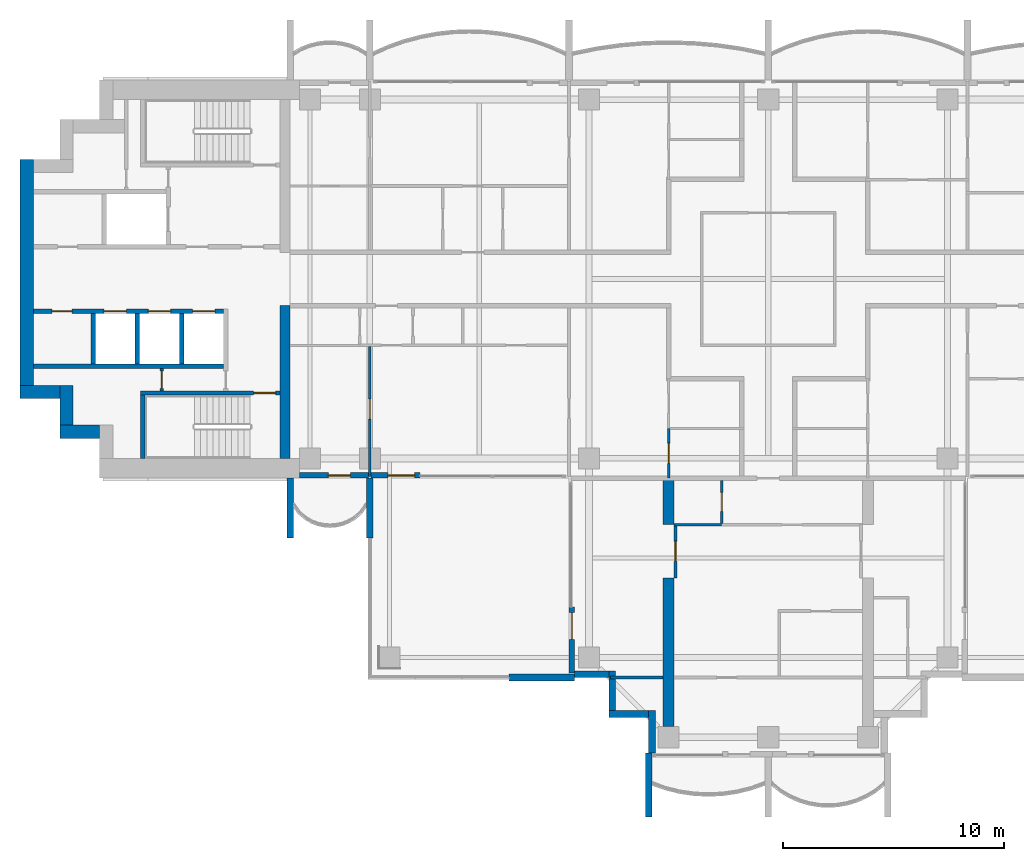
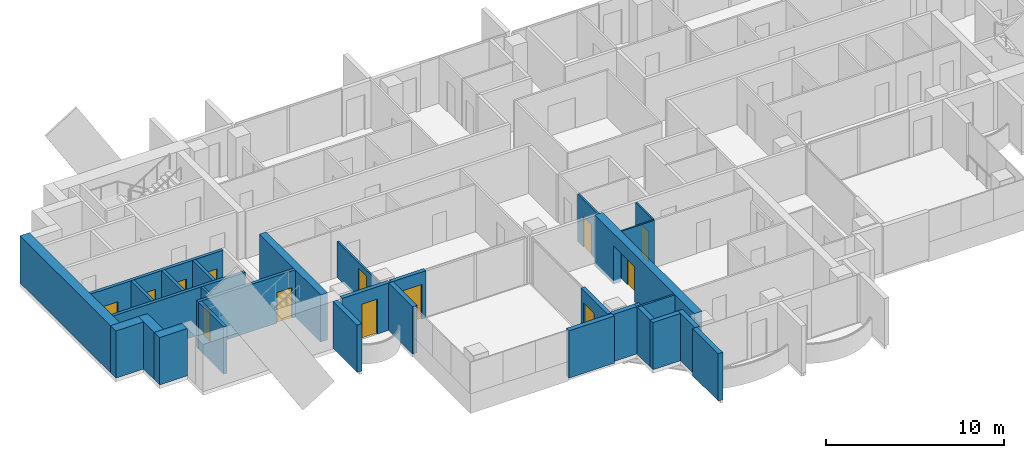
# One storey, part 8 of 18: 31 walls, 13 doors, 13 openings.
"""IFC4 building model written with IfcOpenShell, lengths in metres."""

from ifc_helpers import new_model, si_unit, direction, frame, frame_2d, origin, place, context, subcontext, project, spatial, polyline, rectangle, outline, extrude, material, layer, layer_set, material_profile, profile_set, type_object, element, fill, save


model = new_model("IFC4")

# Units and contexts
model_context = context("Model", 3, precision=1e-05, world=origin(), true_north=direction((0.0, 1.0)))
body_context = subcontext(model_context, "Body", "Model", "MODEL_VIEW")
ifc_project = project(units=[si_unit("LENGTHUNIT", "METRE"), si_unit("AREAUNIT", "SQUARE_METRE"), si_unit("VOLUMEUNIT", "CUBIC_METRE"), si_unit("PLANEANGLEUNIT", "RADIAN"), si_unit("MASSUNIT", "GRAM", prefix="KILO")], contexts=[model_context])

# Site, building, storey
site_placement = place(None, origin())
site = spatial("IfcSite", under=ifc_project, at=site_placement, CompositionType="ELEMENT")
building_placement = place(site_placement, origin())
building = spatial("IfcBuilding", under=site, at=building_placement, Name="Perihelion Cross Residences", CompositionType="ELEMENT")
storey_placement = place(building_placement, frame((0.0, 0.0, 177.10009765625)))
storey = spatial("IfcBuildingStorey", under=building, at=storey_placement, Name="L43", CompositionType="ELEMENT", Elevation=177.10009765625)

# Wall, opening, door
ifc_material_1 = material(Name="Concrete C30/37, bronze-clad", Category="concrete")
ifc_layer_1 = layer(ifc_material_1, 0.25)
ifc_layer_set_1 = layer_set([ifc_layer_1], Name="Bronze-clad pier wall 250")
wall_type_1 = type_object("IfcWallType", Name="Bronze-clad pier wall 250", PredefinedType="SOLIDWALL", material=ifc_layer_set_1)
wall_1_placement = place(storey_placement, frame((-21.175048828125, -8.875, 0.0), z_axis=(0.0, 0.0, 1.0), x_axis=(1.0, 0.0, 0.0)))
wall_1 = element("IfcWall", 1, at=wall_1_placement, inside=storey, type_object=wall_type_1, Name="Wall FW1 L43 west side south bay 1 pier", PredefinedType="SOLIDWALL", context=body_context, shape_type="SweptSolid", body=[
    extrude(rectangle(XDim=3.114990234375, YDim=0.25, at=frame_2d((1.5576171875, 0.0))), origin(), (0.0, 0.0, 1.0), 3.25),
])
opening_1_placement = place(wall_1_placement, frame((1.300048828125, 0.0, 0.0)))
opening_1 = element("IfcOpeningElement", 2, at=opening_1_placement, cuts=wall_1, Name="Opening L43.E07", PredefinedType="OPENING", context=body_context, shape_type="SweptSolid", body=[
    extrude(rectangle(XDim=1.0, YDim=2.39990234375, at=frame_2d((0.5, 1.199951171875))), frame((0.0, 0.135009765625, 0.0), z_axis=(0.0, -1.0, 0.0), x_axis=(1.0, 0.0, 0.0)), (0.0, 0.0, 1.0), 0.27001953125),
])
ifc_material_2 = material(Name="Bronze anodised aluminium, glazed", Category="aluminium")
door_type_1 = type_object("IfcDoorType", Name="Balcony door 1000 x 2400", OperationType="NOTDEFINED", PredefinedType="DOOR", material=ifc_material_2)
door_1_placement = place(opening_1_placement, origin())
door_1 = element("IfcDoor", 3, at=door_1_placement, inside=storey, type_object=door_type_1, Name="Door L43.E07 west side south bay 1", OperationType="SINGLE_SWING_LEFT", OverallHeight=2.39990234375, OverallWidth=1.0, PredefinedType="DOOR", context=body_context, shape_type="SweptSolid", body=[
    extrude(rectangle(XDim=1.0, YDim=2.39990234375, at=frame_2d((0.5, 1.199951171875))), frame((0.0, 0.02490234375, 0.0), z_axis=(0.0, -1.0, 0.0), x_axis=(1.0, 0.0, 0.0)), (0.0, 0.0, 1.0), 0.050048828125),
])
fill(opening_1, door_1)

wall_2_placement = place(storey_placement, frame((-17.93994140625, -8.875, 0.0), z_axis=(0.0, 0.0, 1.0), x_axis=(1.0, 0.0, 0.0)))
wall_2 = element("IfcWall", 4, at=wall_2_placement, inside=storey, type_object=wall_type_1, Name="Wall FW1 L43 west side south bay 2 pier", PredefinedType="SOLIDWALL", context=body_context, shape_type="SweptSolid", body=[
    extrude(rectangle(XDim=2.21484375, YDim=0.25, at=frame_2d((1.107421875, 0.0))), origin(), (0.0, 0.0, 1.0), 3.25),
])
opening_2_placement = place(wall_2_placement, frame((0.764892578125, 0.0, 0.0)))
opening_2 = element("IfcOpeningElement", 5, at=opening_2_placement, cuts=wall_2, Name="Opening L43.E08", PredefinedType="OPENING", context=body_context, shape_type="SweptSolid", body=[
    extrude(rectangle(XDim=1.199951171875, YDim=2.39990234375, at=frame_2d((0.60009765625, 1.199951171875))), frame((0.0, 0.135009765625, 0.0), z_axis=(0.0, -1.0, 0.0), x_axis=(1.0, 0.0, 0.0)), (0.0, 0.0, 1.0), 0.27001953125),
])
ifc_material_3 = material(Name="Bronze anodised aluminium, glazed", Category="aluminium")
door_type_2 = type_object("IfcDoorType", Name="Balcony door 1200 x 2400", OperationType="NOTDEFINED", PredefinedType="DOOR", material=ifc_material_3)
door_2_placement = place(opening_2_placement, origin())
door_2 = element("IfcDoor", 6, at=door_2_placement, inside=storey, type_object=door_type_2, Name="Door L43.E08 west side south bay 2", OperationType="SINGLE_SWING_RIGHT", OverallHeight=2.39990234375, OverallWidth=1.199951171875, PredefinedType="DOOR", context=body_context, shape_type="SweptSolid", body=[
    extrude(rectangle(XDim=1.199951171875, YDim=2.39990234375, at=frame_2d((0.60009765625, 1.199951171875))), frame((0.0, 0.02490234375, 0.0), z_axis=(0.0, -1.0, 0.0), x_axis=(1.0, 0.0, 0.0)), (0.0, 0.0, 1.0), 0.050048828125),
])
fill(opening_2, door_2)

wall_3_placement = place(storey_placement, frame((-8.875, -14.824951171875, 0.0), z_axis=(0.0, 0.0, 1.0), x_axis=(0.0, -1.0, 0.0)))
wall_3 = element("IfcWall", 7, at=wall_3_placement, inside=storey, type_object=wall_type_1, Name="Wall FW1 L43 south side west bay 1 pier", PredefinedType="SOLIDWALL", context=body_context, shape_type="SweptSolid", body=[
    extrude(rectangle(XDim=2.97509765625, YDim=0.25, at=frame_2d((1.487548828125, 0.0))), origin(), (0.0, 0.0, 1.0), 3.25),
])
opening_3_placement = place(wall_3_placement, frame((0.25, 0.0, 0.0)))
opening_3 = element("IfcOpeningElement", 8, at=opening_3_placement, cuts=wall_3, Name="Opening L43.E09", PredefinedType="OPENING", context=body_context, shape_type="SweptSolid", body=[
    extrude(rectangle(XDim=1.199951171875, YDim=2.39990234375, at=frame_2d((0.60009765625, 1.199951171875))), frame((0.0, 0.135009765625, 0.0), z_axis=(0.0, -1.0, 0.0), x_axis=(1.0, 0.0, 0.0)), (0.0, 0.0, 1.0), 0.27001953125),
])
door_3_placement = place(opening_3_placement, origin())
door_3 = element("IfcDoor", 9, at=door_3_placement, inside=storey, type_object=door_type_2, Name="Door L43.E09 south side west bay 1", OperationType="SINGLE_SWING_LEFT", OverallHeight=2.39990234375, OverallWidth=1.199951171875, PredefinedType="DOOR", context=body_context, shape_type="SweptSolid", body=[
    extrude(rectangle(XDim=1.199951171875, YDim=2.39990234375, at=frame_2d((0.60009765625, 1.199951171875))), frame((0.0, 0.02490234375, 0.0), z_axis=(0.0, -1.0, 0.0), x_axis=(1.0, 0.0, 0.0)), (0.0, 0.0, 1.0), 0.050048828125),
])
fill(opening_3, door_3)

# Walls
ifc_material_4 = material(Name="Concrete C30/37, bronze-clad", Category="concrete")
ifc_layer_2 = layer(ifc_material_4, 0.300048828125)
ifc_layer_set_2 = layer_set([ifc_layer_2], Name="Bronze-clad serration wall 300")
wall_type_2 = type_object("IfcWallType", Name="Bronze-clad serration wall 300", PredefinedType="SOLIDWALL", material=ifc_layer_set_2)
wall_4_placement = place(storey_placement, frame((-8.75, -17.85009765625, 0.0), z_axis=(0.0, 0.0, 1.0), x_axis=(1.0, 0.0, 0.0)))
element("IfcWall", 10, at=wall_4_placement, inside=storey, type_object=wall_type_2, Name="Wall SR1 L43 south corner south-west 1", PredefinedType="SOLIDWALL", context=body_context, shape_type="SweptSolid", body=[
    extrude(rectangle(XDim=1.550048828125, YDim=0.300048828125, at=frame_2d((0.77490234375, 0.0))), origin(), (0.0, 0.0, 1.0), 3.25),
])
for number, where, z_axis, x_axis, name in (
    (11, (-7.050048828125, -17.699951171875, 0.0), (0.0, 0.0, 1.0), (0.0, -1.0, 0.0), "Wall SR1 L43 south corner south-west 2"),
    (12, (-7.199951171875, -19.64990234375, 0.0), (0.0, 0.0, 1.0), (1.0, 0.0, 0.0), "Wall SR1 L43 south corner south-west 3"),
):
    element("IfcWall", number, at=place(storey_placement, frame(where, z_axis=z_axis, x_axis=x_axis)), inside=storey, type_object=wall_type_2, Name=name, PredefinedType="SOLIDWALL", context=body_context, shape_type="SweptSolid", body=[
        extrude(rectangle(XDim=1.800048828125, YDim=0.300048828125, at=frame_2d((0.89990234375, 0.0))), origin(), (0.0, 0.0, 1.0), 3.25),
    ])
wall_5_placement = place(storey_placement, frame((-5.25, -19.5, 0.0), z_axis=(0.0, 0.0, 1.0), x_axis=(0.0, -1.0, 0.0)))
element("IfcWall", 13, at=wall_5_placement, inside=storey, type_object=wall_type_2, Name="Wall SR1 L43 south corner south-west 4", PredefinedType="SOLIDWALL", context=body_context, shape_type="SweptSolid", body=[
    extrude(rectangle(XDim=1.919921875, YDim=0.300048828125, at=frame_2d((0.9599609375, 0.0))), origin(), (0.0, 0.0, 1.0), 3.25),
])
ifc_material_5 = material(Name="Concrete C60/75", Category="concrete")
ifc_layer_3 = layer(ifc_material_5, 0.449951171875)
ifc_layer_set_3 = layer_set([ifc_layer_3], Name="Core wall, inner 450")
wall_type_3 = type_object("IfcWallType", Name="Core wall, inner 450", PredefinedType="SHEAR", material=ifc_layer_set_3)
wall_6_placement = place(storey_placement, frame((-21.824951171875, -8.10009765625, 0.0), z_axis=(0.0, 0.0, 1.0), x_axis=(0.0, 1.0, 0.0)))
element("IfcWall", 14, at=wall_6_placement, inside=storey, type_object=wall_type_3, Name="West core core wall, inner", PredefinedType="SHEAR", context=body_context, shape_type="SweptSolid", body=[
    extrude(rectangle(XDim=6.900146484375, YDim=0.449951171875, at=frame_2d((3.4501953125, 0.0))), origin(), (0.0, 0.0, 1.0), 3.25),
])
ifc_material_6 = material(Name="Concrete C60/75", Category="concrete")
ifc_layer_4 = layer(ifc_material_6, 0.60009765625)
ifc_layer_set_4 = layer_set([ifc_layer_4], Name="Core wall, outer 600")
wall_type_4 = type_object("IfcWallType", Name="Core wall, outer 600", PredefinedType="SHEAR", material=ifc_layer_set_4)
for number, where, z_axis, x_axis, name in (
    (15, (-32.0, -6.89990234375, 0.0), (0.0, 0.0, 1.0), (1.0, 0.0, 0.0), "West core core wall, outer"),
    (16, (-31.699951171875, -6.60009765625, 0.0), (0.0, 0.0, 1.0), (0.0, 1.0, 0.0), "West core core wall, outer"),
    (17, (-33.800048828125, -5.10009765625, 0.0), (0.0, 0.0, 1.0), (1.0, 0.0, 0.0), "West core core wall, outer"),
):
    element("IfcWall", number, at=place(storey_placement, frame(where, z_axis=z_axis, x_axis=x_axis)), inside=storey, type_object=wall_type_4, Name=name, PredefinedType="SHEAR", context=body_context, shape_type="SweptSolid", body=[
        extrude(rectangle(XDim=1.800048828125, YDim=0.60009765625, at=frame_2d((0.89990234375, 0.0))), origin(), (0.0, 0.0, 1.0), 3.25),
    ])
wall_7_placement = place(storey_placement, frame((-33.5, -4.800048828125, 0.0), z_axis=(0.0, 0.0, 1.0), x_axis=(0.0, 1.0, 0.0)))
element("IfcWall", 18, at=wall_7_placement, inside=storey, type_object=wall_type_4, Name="West core core wall, outer", PredefinedType="SHEAR", context=body_context, shape_type="SweptSolid", body=[
    extrude(rectangle(XDim=10.199951171875, YDim=0.60009765625, at=frame_2d((5.10009765625, 0.0))), origin(), (0.0, 0.0, 1.0), 3.25),
])

# Wall, opening, door
ifc_material_7 = material(Name="Plasterboard partition")
ifc_layer_5 = layer(ifc_material_7, 0.1201171875)
ifc_layer_set_5 = layer_set([ifc_layer_5], Name="Infill panel 120")
wall_type_5 = type_object("IfcWallType", Name="Infill panel 120", PredefinedType="PARTITIONING", material=ifc_layer_set_5)
wall_8_placement = place(storey_placement, frame((-4.18994140625, -11.10009765625, 0.0), z_axis=(0.0, 0.0, 1.0), x_axis=(0.0, -1.0, 0.0)))
wall_8 = element("IfcWall", 19, at=wall_8_placement, inside=storey, type_object=wall_type_5, Name="Partition L43 WI02", PredefinedType="PARTITIONING", context=body_context, shape_type="SweptSolid", body=[
    extrude(rectangle(XDim=2.39990234375, YDim=0.1201171875, at=frame_2d((1.199951171875, 0.0))), origin(), (0.0, 0.0, 1.0), 2.39990234375),
])
opening_4_placement = place(wall_8_placement, frame((0.75, 0.0, 0.0)))
opening_4 = element("IfcOpeningElement", 20, at=opening_4_placement, cuts=wall_8, Name="Opening L43.A45", PredefinedType="OPENING", context=body_context, shape_type="SweptSolid", body=[
    extrude(rectangle(XDim=0.89990234375, YDim=2.10009765625, at=frame_2d((0.449951171875, 1.050048828125))), frame((0.0, 0.070068359375, 0.0), z_axis=(0.0, -1.0, 0.0), x_axis=(1.0, 0.0, 0.0)), (0.0, 0.0, 1.0), 0.14013671875),
])
ifc_material_8 = material(Name="Timber door leaf", Category="wood")
door_type_3 = type_object("IfcDoorType", Name="Interior room door 900 x 2100", OperationType="SINGLE_SWING_LEFT", PredefinedType="DOOR", material=ifc_material_8)
door_4_placement = place(opening_4_placement, origin())
door_4 = element("IfcDoor", 21, at=door_4_placement, inside=storey, type_object=door_type_3, Name="Door L43.A45", OperationType="SINGLE_SWING_LEFT", OverallHeight=2.10009765625, OverallWidth=0.89990234375, PredefinedType="DOOR", context=body_context, shape_type="SweptSolid", body=[
    extrude(rectangle(XDim=0.89990234375, YDim=2.10009765625, at=frame_2d((0.449951171875, 1.050048828125))), frame((0.0, 0.02490234375, 0.0), z_axis=(0.0, -1.0, 0.0), x_axis=(1.0, 0.0, 0.0)), (0.0, 0.0, 1.0), 0.050048828125),
])
fill(opening_4, door_4)

ifc_material_9 = material(Name="Plasterboard partition")
ifc_layer_6 = layer(ifc_material_9, 0.1201171875)
ifc_layer_set_6 = layer_set([ifc_layer_6], Name="Partition wall 120")
wall_type_6 = type_object("IfcWallType", Name="Partition wall 120", PredefinedType="PARTITIONING", material=ifc_layer_set_6)
wall_9_placement = place(storey_placement, frame((-18.0, -8.919921875, 0.0), z_axis=(0.0, 0.0, 1.0), x_axis=(0.0, 1.0, 0.0)))
wall_9 = element("IfcWall", 22, at=wall_9_placement, inside=storey, type_object=wall_type_6, Name="Partition L43 W059", PredefinedType="PARTITIONING", context=body_context, shape_type="SweptSolid", body=[
    extrude(rectangle(XDim=5.85986328125, YDim=0.1201171875, at=frame_2d((2.929931640625, 0.0))), origin(), (0.0, 0.0, 1.0), 2.47998046875),
])
opening_5_placement = place(wall_9_placement, frame((2.590087890625, 0.0, 0.0)))
opening_5 = element("IfcOpeningElement", 23, at=opening_5_placement, cuts=wall_9, Name="Opening L43.A32", PredefinedType="OPENING", context=body_context, shape_type="SweptSolid", body=[
    extrude(rectangle(XDim=0.89990234375, YDim=2.10009765625, at=frame_2d((0.449951171875, 1.050048828125))), frame((0.0, 0.070068359375, 0.0), z_axis=(0.0, -1.0, 0.0), x_axis=(1.0, 0.0, 0.0)), (0.0, 0.0, 1.0), 0.14013671875),
])
door_5_placement = place(opening_5_placement, origin())
door_5 = element("IfcDoor", 24, at=door_5_placement, inside=storey, type_object=door_type_3, Name="Door L43.A32", OperationType="SINGLE_SWING_LEFT", OverallHeight=2.10009765625, OverallWidth=0.89990234375, PredefinedType="DOOR", context=body_context, shape_type="SweptSolid", body=[
    extrude(rectangle(XDim=0.89990234375, YDim=2.10009765625, at=frame_2d((0.449951171875, 1.050048828125))), frame((0.0, 0.02490234375, 0.0), z_axis=(0.0, -1.0, 0.0), x_axis=(1.0, 0.0, 0.0)), (0.0, 0.0, 1.0), 0.050048828125),
])
fill(opening_5, door_5)

wall_10_placement = place(storey_placement, frame((-4.5, -6.75, 0.0), z_axis=(0.0, 0.0, 1.0), x_axis=(0.0, -1.0, 0.0)))
wall_10 = element("IfcWall", 25, at=wall_10_placement, inside=storey, type_object=wall_type_6, Name="Partition L43 W061", PredefinedType="PARTITIONING", context=body_context, shape_type="SweptSolid", body=[
    extrude(rectangle(XDim=2.25, YDim=0.1201171875, at=frame_2d((1.125, 0.0))), origin(), (0.0, 0.0, 1.0), 3.25),
])
opening_6_placement = place(wall_10_placement, frame((0.675048828125, 0.0, 0.0)))
opening_6 = element("IfcOpeningElement", 26, at=opening_6_placement, cuts=wall_10, Name="Opening L43.A29", PredefinedType="OPENING", context=body_context, shape_type="SweptSolid", body=[
    extrude(rectangle(XDim=0.89990234375, YDim=2.10009765625, at=frame_2d((0.449951171875, 1.050048828125))), frame((0.0, 0.070068359375, 0.0), z_axis=(0.0, -1.0, 0.0), x_axis=(1.0, 0.0, 0.0)), (0.0, 0.0, 1.0), 0.14013671875),
])
door_6_placement = place(opening_6_placement, origin())
door_6 = element("IfcDoor", 27, at=door_6_placement, inside=storey, type_object=door_type_3, Name="Door L43.A29", OperationType="SINGLE_SWING_LEFT", OverallHeight=2.10009765625, OverallWidth=0.89990234375, PredefinedType="DOOR", context=body_context, shape_type="SweptSolid", body=[
    extrude(rectangle(XDim=0.89990234375, YDim=2.10009765625, at=frame_2d((0.449951171875, 1.050048828125))), frame((0.0, 0.02490234375, 0.0), z_axis=(0.0, -1.0, 0.0), x_axis=(1.0, 0.0, 0.0)), (0.0, 0.0, 1.0), 0.050048828125),
])
fill(opening_6, door_6)

# Walls
wall_11_placement = place(storey_placement, frame((-4.75, -18.0, 0.0), z_axis=(0.0, 0.0, 1.0), x_axis=(-1.0, 0.0, 0.0)))
element("IfcWall", 28, at=wall_11_placement, inside=storey, type_object=wall_type_6, Name="Partition L43 W073", PredefinedType="PARTITIONING", context=body_context, shape_type="SweptSolid", body=[
    extrude(rectangle(XDim=2.3701171875, YDim=0.1201171875, at=frame_2d((1.18505859375, 0.0))), origin(), (0.0, 0.0, 1.0), 3.25),
])
ifc_material_10 = material(Name="Precast concrete C50/60", Category="concrete")
ifc_layer_7 = layer(ifc_material_10, 0.300048828125)
ifc_layer_set_7 = layer_set([ifc_layer_7], Name="Precast concrete C50/60 blade wall 300")
wall_type_7 = type_object("IfcWallType", Name="Precast concrete C50/60 blade wall 300", PredefinedType="SOLIDWALL", material=ifc_layer_set_7)
for number, where, z_axis, x_axis, name in (
    (29, (-21.60009765625, -9.0, 0.0), (0.0, 0.0, 1.0), (0.0, -1.0, 0.0), "Wall BL1 L43 no. 3"),
    (30, (-18.0, -9.0, 0.0), (0.0, 0.0, 1.0), (0.0, -1.0, 0.0), "Wall BL1 L43 no. 1"),
):
    element("IfcWall", number, at=place(storey_placement, frame(where, z_axis=z_axis, x_axis=x_axis)), inside=storey, type_object=wall_type_7, Name=name, PredefinedType="SOLIDWALL", context=body_context, shape_type="SweptSolid", body=[
        extrude(rectangle(XDim=2.699951171875, YDim=0.300048828125, at=frame_2d((1.35009765625, 0.0))), origin(), (0.0, 0.0, 1.0), 3.25),
    ])
wall_12_placement = place(storey_placement, frame((-8.75, -18.0, 0.0), z_axis=(0.0, 0.0, 1.0), x_axis=(-1.0, 0.0, 0.0)))
element("IfcWall", 31, at=wall_12_placement, inside=storey, type_object=wall_type_7, Name="Wall BL1 L43 no. 6", PredefinedType="SOLIDWALL", context=body_context, shape_type="SweptSolid", body=[
    extrude(rectangle(XDim=2.949951171875, YDim=0.300048828125, at=frame_2d((1.47509765625, 0.0))), origin(), (0.0, 0.0, 1.0), 3.25),
])
wall_13_placement = place(storey_placement, frame((-5.39990234375, -21.419921875, 0.0), z_axis=(0.0, 0.0, 1.0), x_axis=(0.0, -1.0, 0.0)))
element("IfcWall", 32, at=wall_13_placement, inside=storey, type_object=wall_type_7, Name="Wall BL1 L43 no. 5", PredefinedType="SOLIDWALL", context=body_context, shape_type="SweptSolid", body=[
    extrude(rectangle(XDim=2.880126953125, YDim=0.300048828125, at=frame_2d((1.43994140625, 0.0))), origin(), (0.0, 0.0, 1.0), 3.25),
])

# Wall, opening, door
ifc_material_11 = material(Name="Fire-rated board on steel stud", Category="steel")
ifc_layer_8 = layer(ifc_material_11, 0.14990234375)
ifc_layer_set_8 = layer_set([ifc_layer_8], Name="Riser wall 150")
wall_type_8 = type_object("IfcWallType", Name="Riser wall 150", PredefinedType="PARTITIONING", material=ifc_layer_set_8)
wall_14_placement = place(storey_placement, frame((-27.39990234375, -5.050048828125, 0.0), z_axis=(0.0, 0.0, 1.0), x_axis=(0.0, 1.0, 0.0)))
wall_14 = element("IfcWall", 33, at=wall_14_placement, inside=storey, type_object=wall_type_8, Name="West core riser wall", PredefinedType="PARTITIONING", context=body_context, shape_type="SweptSolid", body=[
    extrude(rectangle(XDim=1.0, YDim=0.14990234375, at=frame_2d((0.5, 0.0))), origin(), (0.0, 0.0, 1.0), 3.25),
])
opening_7_placement = place(wall_14_placement, frame((0.10009765625, 0.0, 0.0)))
opening_7 = element("IfcOpeningElement", 34, at=opening_7_placement, cuts=wall_14, Name="Opening L43.C25", PredefinedType="OPENING", context=body_context, shape_type="SweptSolid", body=[
    extrude(rectangle(XDim=0.800048828125, YDim=2.10009765625, at=frame_2d((0.39990234375, 1.050048828125))), frame((0.0, 0.0849609375, 0.0), z_axis=(0.0, -1.0, 0.0), x_axis=(1.0, 0.0, 0.0)), (0.0, 0.0, 1.0), 0.169921875),
])
ifc_material_12 = material(Name="Steel, powder coated", Category="steel")
door_type_4 = type_object("IfcDoorType", Name="Riser door 800", OperationType="SINGLE_SWING_LEFT", PredefinedType="DOOR", material=ifc_material_12)
door_7_placement = place(opening_7_placement, origin())
door_7 = element("IfcDoor", 35, at=door_7_placement, inside=storey, type_object=door_type_4, Name="West core riser door", OperationType="SINGLE_SWING_LEFT", OverallHeight=2.10009765625, OverallWidth=0.800048828125, PredefinedType="DOOR", context=body_context, shape_type="SweptSolid", body=[
    extrude(rectangle(XDim=0.800048828125, YDim=2.10009765625, at=frame_2d((0.39990234375, 1.050048828125))), frame((0.0, 0.02490234375, 0.0), z_axis=(0.0, -1.0, 0.0), x_axis=(1.0, 0.0, 0.0)), (0.0, 0.0, 1.0), 0.050048828125),
])
fill(opening_7, door_7)

# Wall, openings, doors
ifc_material_13 = material(Name="Concrete C50/60", Category="concrete")
ifc_layer_9 = layer(ifc_material_13, 0.199951171875)
ifc_layer_set_9 = layer_set([ifc_layer_9], Name="Shaft wall 200")
wall_type_9 = type_object("IfcWallType", Name="Shaft wall 200", PredefinedType="SOLIDWALL", material=ifc_layer_set_9)
wall_15_placement = place(storey_placement, frame((-33.199951171875, -1.449951171875, 0.0), z_axis=(0.0, 0.0, 1.0), x_axis=(1.0, 0.0, 0.0)))
wall_15 = element("IfcWall", 36, at=wall_15_placement, inside=storey, type_object=wall_type_9, Name="West core shaft wall", PredefinedType="SOLIDWALL", context=body_context, shape_type="SweptSolid", body=[
    extrude(rectangle(XDim=8.599853515625, YDim=0.199951171875, at=frame_2d((4.2998046875, 0.0))), origin(), (0.0, 0.0, 1.0), 3.25),
])
opening_8_placement = place(wall_15_placement, frame((7.199951171875, 0.0, 0.0)))
opening_8 = element("IfcOpeningElement", 37, at=opening_8_placement, cuts=wall_15, Name="Opening L43.C15", PredefinedType="OPENING", context=body_context, shape_type="SweptSolid", body=[
    extrude(rectangle(XDim=1.0, YDim=2.10009765625, at=frame_2d((0.5, 1.050048828125))), frame((0.0, 0.10986328125, 0.0), z_axis=(0.0, -1.0, 0.0), x_axis=(1.0, 0.0, 0.0)), (0.0, 0.0, 1.0), 0.219970703125),
])
opening_9_placement = place(wall_15_placement, frame((5.199951171875, 0.0, 0.0)))
opening_9 = element("IfcOpeningElement", 38, at=opening_9_placement, cuts=wall_15, Name="Opening L43.C17", PredefinedType="OPENING", context=body_context, shape_type="SweptSolid", body=[
    extrude(rectangle(XDim=1.0, YDim=2.10009765625, at=frame_2d((0.5, 1.050048828125))), frame((0.0, 0.10986328125, 0.0), z_axis=(0.0, -1.0, 0.0), x_axis=(1.0, 0.0, 0.0)), (0.0, 0.0, 1.0), 0.219970703125),
])
opening_10_placement = place(wall_15_placement, frame((3.199951171875, 0.0, 0.0)))
opening_10 = element("IfcOpeningElement", 39, at=opening_10_placement, cuts=wall_15, Name="Opening L43.C18", PredefinedType="OPENING", context=body_context, shape_type="SweptSolid", body=[
    extrude(rectangle(XDim=1.0, YDim=2.10009765625, at=frame_2d((0.5, 1.050048828125))), frame((0.0, 0.10986328125, 0.0), z_axis=(0.0, -1.0, 0.0), x_axis=(1.0, 0.0, 0.0)), (0.0, 0.0, 1.0), 0.219970703125),
])
opening_11_placement = place(wall_15_placement, frame((0.85009765625, 0.0, 0.0)))
opening_11 = element("IfcOpeningElement", 40, at=opening_11_placement, cuts=wall_15, Name="Opening L43.C28", PredefinedType="OPENING", context=body_context, shape_type="SweptSolid", body=[
    extrude(rectangle(XDim=0.89990234375, YDim=2.10009765625, at=frame_2d((0.449951171875, 1.050048828125))), frame((0.0, 0.10986328125, 0.0), z_axis=(0.0, -1.0, 0.0), x_axis=(1.0, 0.0, 0.0)), (0.0, 0.0, 1.0), 0.219970703125),
])
ifc_material_14 = material(Name="Stainless steel", Category="steel")
door_type_5 = type_object("IfcDoorType", Name="Landing door 1000", OperationType="DOUBLE_DOOR_SLIDING", PredefinedType="DOOR", material=ifc_material_14)
door_8_placement = place(opening_8_placement, origin())
door_8 = element("IfcDoor", 41, at=door_8_placement, inside=storey, type_object=door_type_5, Name="Landing door, West core high-rise lift 1", OperationType="DOUBLE_DOOR_SLIDING", OverallHeight=2.10009765625, OverallWidth=1.0, PredefinedType="DOOR", context=body_context, shape_type="SweptSolid", body=[
    extrude(rectangle(XDim=1.0, YDim=2.10009765625, at=frame_2d((0.5, 1.050048828125))), frame((0.0, 0.02490234375, 0.0), z_axis=(0.0, -1.0, 0.0), x_axis=(1.0, 0.0, 0.0)), (0.0, 0.0, 1.0), 0.050048828125),
])
fill(opening_8, door_8)
door_9_placement = place(opening_9_placement, origin())
door_9 = element("IfcDoor", 42, at=door_9_placement, inside=storey, type_object=door_type_5, Name="Landing door, West core high-rise lift 2", OperationType="DOUBLE_DOOR_SLIDING", OverallHeight=2.10009765625, OverallWidth=1.0, PredefinedType="DOOR", context=body_context, shape_type="SweptSolid", body=[
    extrude(rectangle(XDim=1.0, YDim=2.10009765625, at=frame_2d((0.5, 1.050048828125))), frame((0.0, 0.02490234375, 0.0), z_axis=(0.0, -1.0, 0.0), x_axis=(1.0, 0.0, 0.0)), (0.0, 0.0, 1.0), 0.050048828125),
])
fill(opening_9, door_9)
door_10_placement = place(opening_10_placement, origin())
door_10 = element("IfcDoor", 43, at=door_10_placement, inside=storey, type_object=door_type_5, Name="Landing door, West core high-rise lift 3", OperationType="DOUBLE_DOOR_SLIDING", OverallHeight=2.10009765625, OverallWidth=1.0, PredefinedType="DOOR", context=body_context, shape_type="SweptSolid", body=[
    extrude(rectangle(XDim=1.0, YDim=2.10009765625, at=frame_2d((0.5, 1.050048828125))), frame((0.0, 0.02490234375, 0.0), z_axis=(0.0, -1.0, 0.0), x_axis=(1.0, 0.0, 0.0)), (0.0, 0.0, 1.0), 0.050048828125),
])
fill(opening_10, door_10)
ifc_material_15 = material(Name="Steel, powder coated", Category="steel")
door_type_6 = type_object("IfcDoorType", Name="Service room door 900", OperationType="SINGLE_SWING_LEFT", PredefinedType="DOOR", material=ifc_material_15)
door_11_placement = place(opening_11_placement, origin())
door_11 = element("IfcDoor", 44, at=door_11_placement, inside=storey, type_object=door_type_6, Name="West core service room door", OperationType="SINGLE_SWING_LEFT", OverallHeight=2.10009765625, OverallWidth=0.89990234375, PredefinedType="DOOR", context=body_context, shape_type="SweptSolid", body=[
    extrude(rectangle(XDim=0.89990234375, YDim=2.10009765625, at=frame_2d((0.449951171875, 1.050048828125))), frame((0.0, 0.02490234375, 0.0), z_axis=(0.0, -1.0, 0.0), x_axis=(1.0, 0.0, 0.0)), (0.0, 0.0, 1.0), 0.050048828125),
])
fill(opening_11, door_11)

# Walls
wall_16_placement = place(storey_placement, frame((-33.199951171875, -3.949951171875, 0.0), z_axis=(0.0, 0.0, 1.0), x_axis=(1.0, 0.0, 0.0)))
element("IfcWall", 45, at=wall_16_placement, inside=storey, type_object=wall_type_9, Name="West core shaft wall", PredefinedType="SOLIDWALL", context=body_context, shape_type="SweptSolid", body=[
    extrude(rectangle(XDim=8.599853515625, YDim=0.199951171875, at=frame_2d((4.2998046875, 0.0))), origin(), (0.0, 0.0, 1.0), 3.25),
])
for number, where, z_axis, x_axis, name in (
    (46, (-26.5, -3.85009765625, 0.0), (0.0, 0.0, 1.0), (0.0, 1.0, 0.0), "West core shaft wall"),
    (47, (-28.5, -3.85009765625, 0.0), (0.0, 0.0, 1.0), (0.0, 1.0, 0.0), "West core shaft wall"),
    (48, (-30.5, -3.85009765625, 0.0), (0.0, 0.0, 1.0), (0.0, 1.0, 0.0), "West core shaft wall"),
):
    element("IfcWall", number, at=place(storey_placement, frame(where, z_axis=z_axis, x_axis=x_axis)), inside=storey, type_object=wall_type_9, Name=name, PredefinedType="SOLIDWALL", context=body_context, shape_type="SweptSolid", body=[
        extrude(rectangle(XDim=2.300048828125, YDim=0.199951171875, at=frame_2d((1.14990234375, 0.0))), origin(), (0.0, 0.0, 1.0), 3.25),
    ])

# Wall, opening, door
ifc_material_16 = material(Name="Concrete C50/60", Category="concrete")
ifc_layer_10 = layer(ifc_material_16, 0.199951171875)
ifc_layer_set_10 = layer_set([ifc_layer_10], Name="Stair wall 200")
wall_type_10 = type_object("IfcWallType", Name="Stair wall 200", PredefinedType="SOLIDWALL", material=ifc_layer_set_10)
wall_17_placement = place(storey_placement, frame((-28.35009765625, -5.14990234375, 0.0), z_axis=(0.0, 0.0, 1.0), x_axis=(1.0, 0.0, 0.0)))
wall_17 = element("IfcWall", 49, at=wall_17_placement, inside=storey, type_object=wall_type_10, Name="West core stair wall", PredefinedType="SOLIDWALL", context=body_context, shape_type="SweptSolid", body=[
    extrude(rectangle(XDim=6.300048828125, YDim=0.199951171875, at=frame_2d((3.14990234375, 0.0))), origin(), (0.0, 0.0, 1.0), 3.25),
])
opening_12_placement = place(wall_17_placement, frame((5.10009765625, 0.0, 0.0)))
opening_12 = element("IfcOpeningElement", 50, at=opening_12_placement, cuts=wall_17, Name="Opening L43.C19", PredefinedType="OPENING", context=body_context, shape_type="SweptSolid", body=[
    extrude(rectangle(XDim=1.0, YDim=2.10009765625, at=frame_2d((0.5, 1.050048828125))), frame((0.0, 0.10986328125, 0.0), z_axis=(0.0, -1.0, 0.0), x_axis=(1.0, 0.0, 0.0)), (0.0, 0.0, 1.0), 0.219970703125),
])
ifc_material_17 = material(Name="Steel, powder coated", Category="steel")
door_type_7 = type_object("IfcDoorType", Name="Stair door 1000", OperationType="SINGLE_SWING_LEFT", PredefinedType="DOOR", material=ifc_material_17)
door_12_placement = place(opening_12_placement, origin())
door_12 = element("IfcDoor", 51, at=door_12_placement, inside=storey, type_object=door_type_7, Name="West core stair door", OperationType="SINGLE_SWING_LEFT", OverallHeight=2.10009765625, OverallWidth=1.0, PredefinedType="DOOR", context=body_context, shape_type="SweptSolid", body=[
    extrude(rectangle(XDim=1.0, YDim=2.10009765625, at=frame_2d((0.5, 1.050048828125))), frame((0.0, 0.02490234375, 0.0), z_axis=(0.0, -1.0, 0.0), x_axis=(1.0, 0.0, 0.0)), (0.0, 0.0, 1.0), 0.050048828125),
])
fill(opening_12, door_12)

# Walls
wall_18_placement = place(storey_placement, frame((-28.25, -8.10009765625, 0.0), z_axis=(0.0, 0.0, 1.0), x_axis=(0.0, 1.0, 0.0)))
element("IfcWall", 52, at=wall_18_placement, inside=storey, type_object=wall_type_10, Name="West core stair wall", PredefinedType="SOLIDWALL", context=body_context, shape_type="SweptSolid", body=[
    extrude(rectangle(XDim=2.85009765625, YDim=0.199951171875, at=frame_2d((1.425048828125, 0.0))), origin(), (0.0, 0.0, 1.0), 3.25),
])
ifc_material_18 = material(Name="Concrete C60/75", Category="concrete")
ifc_material_profile = material_profile(ifc_material_18, outline(polyline([(0.0, 0.0), (6.72509765625, 0.0), (6.72509765625, 2.64990234375), (9.125, 2.64990234375), (9.125, 0.0), (11.22509765625, 0.0), (11.22509765625, 3.5), (0.0, 3.5), (0.0, 0.0)])), Name="Tip spine wall")
ifc_profile_set = profile_set([ifc_material_profile], Name="Concrete C60/75")
wall_type_11 = type_object("IfcWallType", Name="Tip spine wall 500 with 1 door openings 11225 long 3500 high concrete C60/75", PredefinedType="SHEAR", material=ifc_profile_set)
wall_19_placement = place(storey_placement, frame((-4.75, -20.22509765625, -0.25), z_axis=(1.0, 0.0, 0.0), x_axis=(0.0, 1.0, 0.0)))
element("IfcWall", 53, at=wall_19_placement, inside=storey, type_object=wall_type_11, Name="Shear wall SW41 L43 south west", PredefinedType="SHEAR", context=body_context, shape_type="SweptSolid", body=[
    extrude(outline(polyline([(0.0, 0.0), (6.72509765625, 0.0), (6.72509765625, 2.64990234375), (9.125, 2.64990234375), (9.125, 0.0), (11.22509765625, 0.0), (11.22509765625, 3.5), (0.0, 3.5), (0.0, 0.0)])), origin(), (0.0, 0.0, 1.0), 0.5),
])

# Wall, opening, door
ifc_material_19 = material(Name="Plasterboard partition")
ifc_layer_11 = layer(ifc_material_19, 0.10009765625)
ifc_layer_set_11 = layer_set([ifc_layer_11], Name="Wet room wall 100")
wall_type_12 = type_object("IfcWallType", Name="Wet room wall 100", PredefinedType="PARTITIONING", material=ifc_layer_set_11)
wall_20_placement = place(storey_placement, frame((-2.10009765625, -11.0400390625, 0.0), z_axis=(0.0, 0.0, 1.0), x_axis=(0.0, 1.0, 0.0)))
wall_20 = element("IfcWall", 54, at=wall_20_placement, inside=storey, type_object=wall_type_12, Name="Partition L43 W063", PredefinedType="PARTITIONING", context=body_context, shape_type="SweptSolid", body=[
    extrude(rectangle(XDim=1.93994140625, YDim=0.10009765625, at=frame_2d((0.969970703125, 0.0))), origin(), (0.0, 0.0, 1.0), 3.25),
])
opening_13_placement = place(wall_20_placement, frame((0.544921875, 0.0, 0.0)))
opening_13 = element("IfcOpeningElement", 55, at=opening_13_placement, cuts=wall_20, Name="Opening L43.A35", PredefinedType="OPENING", context=body_context, shape_type="SweptSolid", body=[
    extrude(rectangle(XDim=0.85009765625, YDim=2.10009765625, at=frame_2d((0.425048828125, 1.050048828125))), frame((0.0, 0.06005859375, 0.0), z_axis=(0.0, -1.0, 0.0), x_axis=(1.0, 0.0, 0.0)), (0.0, 0.0, 1.0), 0.1201171875),
])
ifc_material_20 = material(Name="Timber door leaf", Category="wood")
door_type_8 = type_object("IfcDoorType", Name="Interior bathroom door 850 x 2100", OperationType="SINGLE_SWING_LEFT", PredefinedType="DOOR", material=ifc_material_20)
door_13_placement = place(opening_13_placement, origin())
door_13 = element("IfcDoor", 56, at=door_13_placement, inside=storey, type_object=door_type_8, Name="Door L43.A35", OperationType="SINGLE_SWING_LEFT", OverallHeight=2.10009765625, OverallWidth=0.85009765625, PredefinedType="DOOR", context=body_context, shape_type="SweptSolid", body=[
    extrude(rectangle(XDim=0.85009765625, YDim=2.10009765625, at=frame_2d((0.425048828125, 1.050048828125))), frame((0.0, 0.02490234375, 0.0), z_axis=(0.0, -1.0, 0.0), x_axis=(1.0, 0.0, 0.0)), (0.0, 0.0, 1.0), 0.050048828125),
])
fill(opening_13, door_13)

# Wall
wall_21_placement = place(storey_placement, frame((-2.10009765625, -11.10009765625, 0.0), z_axis=(0.0, 0.0, 1.0), x_axis=(-1.0, 0.0, 0.0)))
element("IfcWall", 57, at=wall_21_placement, inside=storey, type_object=wall_type_12, Name="Partition L43 W065", PredefinedType="PARTITIONING", context=body_context, shape_type="SweptSolid", body=[
    extrude(rectangle(XDim=2.14990234375, YDim=0.10009765625, at=frame_2d((1.074951171875, 0.0))), origin(), (0.0, 0.0, 1.0), 3.25),
])

save(model, "model.ifc")
